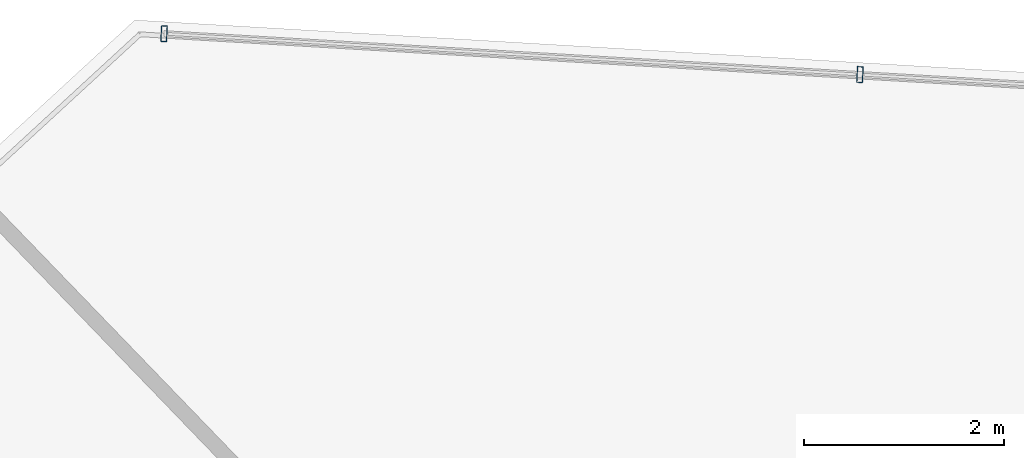
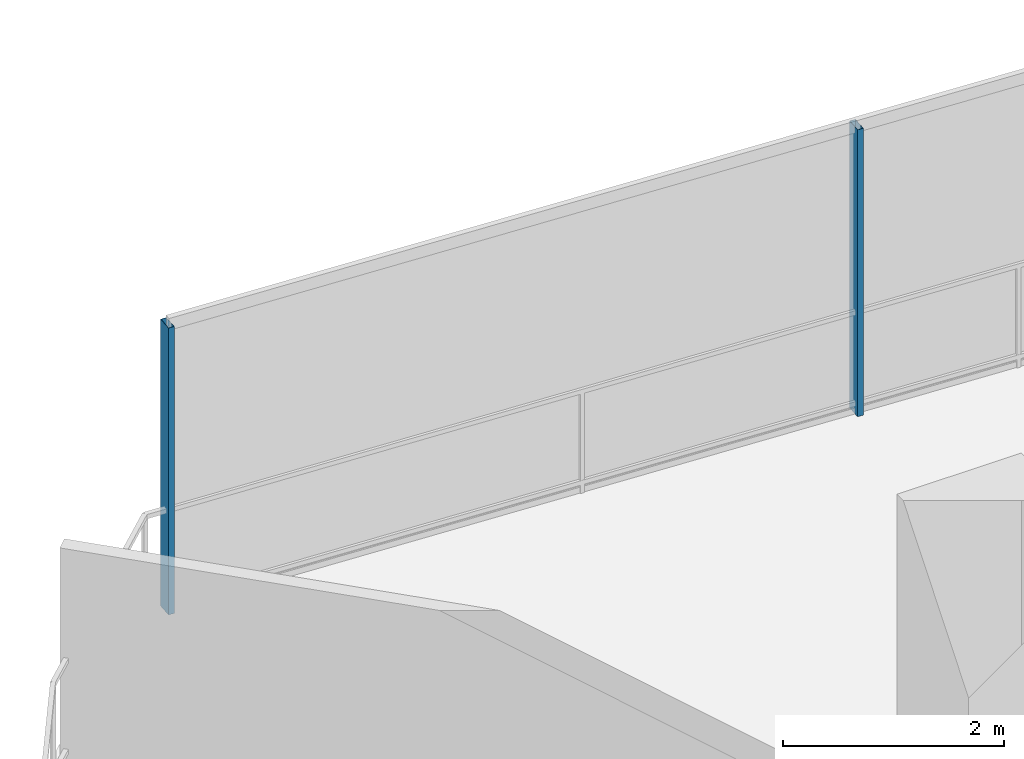
# One storey, part 16 of 28: 2 members, 1 element without a shape of its own.
"""IFC4 building model written with IfcOpenShell, lengths in metres."""

from ifc_helpers import new_model, si_unit, direction, frame, origin, origin_2d, place, context, subcontext, project, spatial, hollow_rectangle, extrude, material, layer, layer_set, material_profile, profile_set, type_object, element, aggregate, save


model = new_model("IFC4")

# Units and contexts
model_context = context("Model", 3, precision=1e-05, world=origin(), true_north=direction((0.0, 1.0)))
body_context = subcontext(model_context, "Body", "Model", "MODEL_VIEW")
ifc_project = project(units=[si_unit("LENGTHUNIT", "METRE"), si_unit("AREAUNIT", "SQUARE_METRE"), si_unit("VOLUMEUNIT", "CUBIC_METRE"), si_unit("PLANEANGLEUNIT", "RADIAN"), si_unit("MASSUNIT", "GRAM", prefix="KILO")], contexts=[model_context])

# Site, building, storey
site_placement = place(None, origin())
site = spatial("IfcSite", under=ifc_project, at=site_placement, CompositionType="ELEMENT")
building_placement = place(site_placement, origin())
building = spatial("IfcBuilding", under=site, at=building_placement, Name="Qarnah Convention Tower", CompositionType="ELEMENT")
storey_placement = place(building_placement, frame((0.0, 0.0, 54.60009765625)))
storey = spatial("IfcBuildingStorey", under=building, at=storey_placement, Name="L13", CompositionType="ELEMENT", Elevation=54.60009765625)

# Curtain wall, members
ifc_material_1 = material(Name="Tempered Low-E dark glass", Category="glass")
ifc_layer = layer(ifc_material_1, 0.16796875)
ifc_layer_set = layer_set([ifc_layer], Name="Tempered Low-E dark glass")
curtain_wall_type = type_object("IfcCurtainWallType", Name="CWS-01", PredefinedType="NOTDEFINED", material=ifc_layer_set)
curtain_wall_placement = place(storey_placement, origin())
curtain_wall = element("IfcCurtainWall", 1, at=curtain_wall_placement, inside=storey, type_object=curtain_wall_type, Name="L13 unitised curtain wall CW-L13-F1", PredefinedType="NOTDEFINED")
ifc_material_2 = material(Name="Black anodised aluminium", Category="aluminium")
ifc_material_profile = material_profile(ifc_material_2, hollow_rectangle(XDim=0.06005859375, YDim=0.159912109375, WallThickness=0.00390625, at=origin_2d()), Name="MUL-60X160")
ifc_profile_set = profile_set([ifc_material_profile], Name="Black anodised aluminium")
member_type = type_object("IfcMemberType", Name="MUL-T1", PredefinedType="MULLION", material=ifc_profile_set)
member_1_placement = place(storey_placement, frame((21.99609375, 45.737060546875, 0.0), z_axis=(0.0, 0.0, 1.0), x_axis=(0.998280790884, -0.058612819006, 0.0)))
member_1 = element("IfcMember", 2, at=member_1_placement, type_object=member_type, Name="CW-L13-F1 mullion 1", PredefinedType="MULLION", context=body_context, shape_type="SweptSolid", body=[
    extrude(hollow_rectangle(XDim=0.06005859375, YDim=0.159912109375, WallThickness=0.00390625, at=origin_2d()), origin(), (0.0, 0.0, 1.0), 3.169921875),
])
member_2_placement = place(storey_placement, frame((28.9619140625, 45.327880859375, 0.0), z_axis=(0.0, 0.0, 1.0), x_axis=(0.998280790884, -0.058612819006, 0.0)))
member_2 = element("IfcMember", 3, at=member_2_placement, type_object=member_type, Name="CW-L13-F1 mullion 2", PredefinedType="MULLION", context=body_context, shape_type="SweptSolid", body=[
    extrude(hollow_rectangle(XDim=0.06005859375, YDim=0.159912109375, WallThickness=0.00390625, at=origin_2d()), origin(), (0.0, 0.0, 1.0), 3.169921875),
])
aggregate(curtain_wall, [member_1, member_2])

save(model, "model.ifc")
